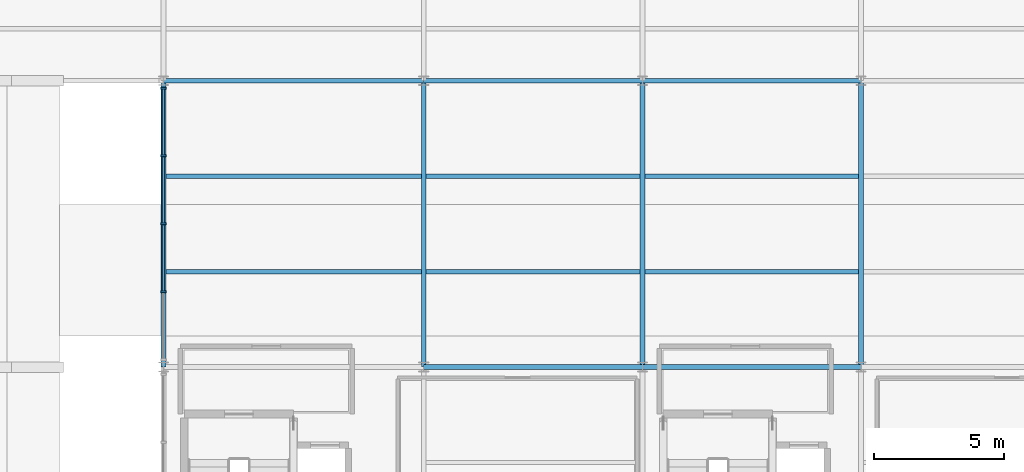
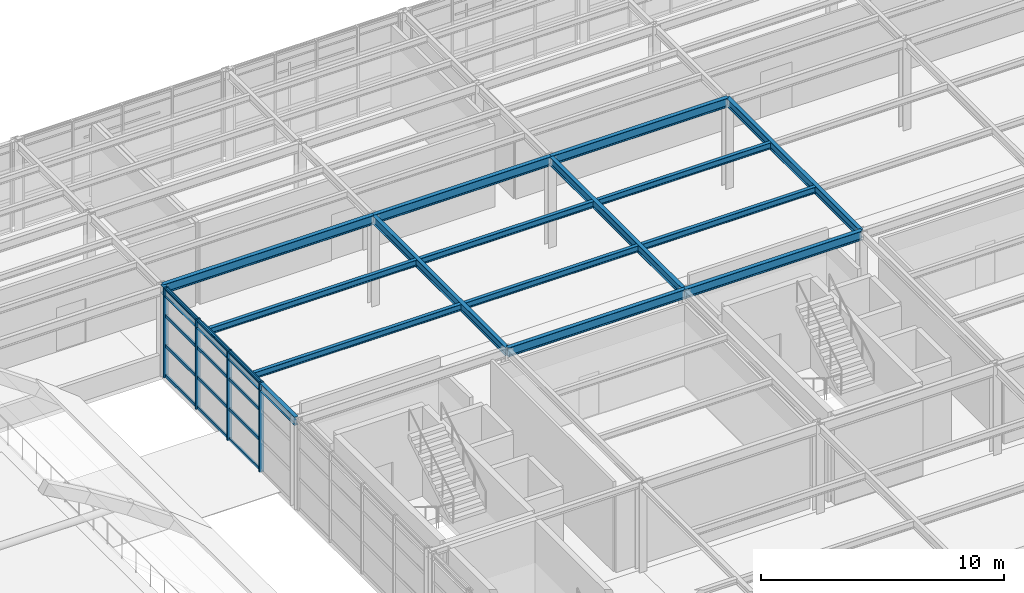
# One storey, part 33 of 82: 16 members, 15 beams, 1 element without a shape of its own.
"""IFC4 building model written with IfcOpenShell, lengths in metres."""

from ifc_helpers import new_model, si_unit, direction, frame, origin, origin_2d, place, context, subcontext, project, spatial, rectangle, i_section, extrude, material, layer, layer_set, material_profile, profile_set, type_object, element, aggregate, save


model = new_model("IFC4")

# Units and contexts
model_context = context("Model", 3, precision=1e-05, world=origin(), true_north=direction((0.0, 1.0)))
body_context = subcontext(model_context, "Body", "Model", "MODEL_VIEW")
ifc_project = project(units=[si_unit("LENGTHUNIT", "METRE"), si_unit("AREAUNIT", "SQUARE_METRE"), si_unit("VOLUMEUNIT", "CUBIC_METRE"), si_unit("PLANEANGLEUNIT", "RADIAN"), si_unit("MASSUNIT", "GRAM", prefix="KILO")], contexts=[model_context])

# Site, building, storey
site_placement = place(None, origin())
site = spatial("IfcSite", under=ifc_project, at=site_placement, CompositionType="ELEMENT")
building_placement = place(site_placement, origin())
building = spatial("IfcBuilding", under=site, at=building_placement, Name="Sitalva Quay Ferry Terminal", CompositionType="ELEMENT")
storey_placement = place(building_placement, frame((0.0, 0.0, 5.39990234375)))
storey = spatial("IfcBuildingStorey", under=building, at=storey_placement, Name="L02", CompositionType="ELEMENT", Elevation=5.39990234375)

# Beams
ifc_material_1 = material(Name="Structural Steel S355JR", Category="steel")
ifc_material_profile_1 = material_profile(ifc_material_1, i_section(OverallWidth=0.180908203125, OverallDepth=0.4169921875, WebThickness=0.010986328125, FlangeThickness=0.018310546875, FilletRadius=0.012939453125, at=origin_2d()), Name="W410x85")
ifc_profile_set_1 = profile_set([ifc_material_profile_1], Name="Structural Steel S355JR")
beam_type_1 = type_object("IfcBeamType", Name="Beam_W410x85", PredefinedType="BEAM", material=ifc_profile_set_1)
for number, where, z_axis, x_axis, name in (
    (1, (74.0, 89.0, 4.29150390625), (0.0, 1.0, 0.0), (-1.0, 0.0, 0.0), "L02 Primary Y girder 1019"),
    (2, (84.0, 89.0, 4.29150390625), (0.0, 1.0, 0.0), (-1.0, 0.0, 0.0), "L02 Primary Y girder 1022"),
    (3, (92.39990234375, 89.0, 4.29150390625), (0.0, 1.0, 0.0), (-1.0, 0.0, 0.0), "L02 Primary Y girder 1025"),
    (4, (100.800048828125, 89.0, 4.29150390625), (0.0, 1.0, 0.0), (-1.0, 0.0, 0.0), "L02 Primary Y girder 1028"),
):
    element("IfcBeam", number, at=place(storey_placement, frame(where, z_axis=z_axis, x_axis=x_axis)), inside=storey, type_object=beam_type_1, Name=name, PredefinedType="BEAM", context=body_context, shape_type="SweptSolid", body=[
        extrude(i_section(OverallWidth=0.180908203125, OverallDepth=0.4169921875, WebThickness=0.010986328125, FlangeThickness=0.018310546875, FilletRadius=0.012939453125, at=origin_2d()), origin(), (0.0, 0.0, 1.0), 11.0),
    ])
ifc_material_2 = material(Name="Structural Steel S355JR", Category="steel")
ifc_material_profile_2 = material_profile(ifc_material_2, i_section(OverallWidth=0.19091796875, OverallDepth=0.4599609375, WebThickness=0.010009765625, FlangeThickness=0.01611328125, FilletRadius=0.013916015625, at=origin_2d()), Name="W460x82")
ifc_profile_set_2 = profile_set([ifc_material_profile_2], Name="Structural Steel S355JR")
beam_type_2 = type_object("IfcBeamType", Name="Beam_W460x82", PredefinedType="BEAM", material=ifc_profile_set_2)
beam_1_placement = place(storey_placement, frame((84.0, 89.0, 4.27001953125), z_axis=(1.0, 0.0, 0.0), x_axis=(0.0, 1.0, 0.0)))
element("IfcBeam", 5, at=beam_1_placement, inside=storey, type_object=beam_type_2, Name="L02 Primary X girder 1001", PredefinedType="BEAM", context=body_context, shape_type="SweptSolid", body=[
    extrude(i_section(OverallWidth=0.19091796875, OverallDepth=0.4599609375, WebThickness=0.010009765625, FlangeThickness=0.01611328125, FilletRadius=0.013916015625, at=origin_2d()), origin(), (0.0, 0.0, 1.0), 8.39990234375),
])
beam_2_placement = place(storey_placement, frame((92.39990234375, 89.0, 4.27001953125), z_axis=(1.0, 0.0, 0.0), x_axis=(0.0, 1.0, 0.0)))
element("IfcBeam", 6, at=beam_2_placement, inside=storey, type_object=beam_type_2, Name="L02 Primary X girder 1002", PredefinedType="BEAM", context=body_context, shape_type="SweptSolid", body=[
    extrude(i_section(OverallWidth=0.19091796875, OverallDepth=0.4599609375, WebThickness=0.010009765625, FlangeThickness=0.01611328125, FilletRadius=0.013916015625, at=origin_2d()), origin(), (0.0, 0.0, 1.0), 8.400146484375),
])
beam_3_placement = place(storey_placement, frame((74.0, 100.0, 4.27001953125), z_axis=(1.0, 0.0, 0.0), x_axis=(0.0, 1.0, 0.0)))
element("IfcBeam", 7, at=beam_3_placement, inside=storey, type_object=beam_type_2, Name="L02 Primary X girder 1006", PredefinedType="BEAM", context=body_context, shape_type="SweptSolid", body=[
    extrude(i_section(OverallWidth=0.19091796875, OverallDepth=0.4599609375, WebThickness=0.010009765625, FlangeThickness=0.01611328125, FilletRadius=0.013916015625, at=origin_2d()), origin(), (0.0, 0.0, 1.0), 10.0),
])
beam_4_placement = place(storey_placement, frame((84.0, 100.0, 4.27001953125), z_axis=(1.0, 0.0, 0.0), x_axis=(0.0, 1.0, 0.0)))
element("IfcBeam", 8, at=beam_4_placement, inside=storey, type_object=beam_type_2, Name="L02 Primary X girder 1007", PredefinedType="BEAM", context=body_context, shape_type="SweptSolid", body=[
    extrude(i_section(OverallWidth=0.19091796875, OverallDepth=0.4599609375, WebThickness=0.010009765625, FlangeThickness=0.01611328125, FilletRadius=0.013916015625, at=origin_2d()), origin(), (0.0, 0.0, 1.0), 8.39990234375),
])
beam_5_placement = place(storey_placement, frame((92.39990234375, 100.0, 4.27001953125), z_axis=(1.0, 0.0, 0.0), x_axis=(0.0, 1.0, 0.0)))
element("IfcBeam", 9, at=beam_5_placement, inside=storey, type_object=beam_type_2, Name="L02 Primary X girder 1008", PredefinedType="BEAM", context=body_context, shape_type="SweptSolid", body=[
    extrude(i_section(OverallWidth=0.19091796875, OverallDepth=0.4599609375, WebThickness=0.010009765625, FlangeThickness=0.01611328125, FilletRadius=0.013916015625, at=origin_2d()), origin(), (0.0, 0.0, 1.0), 8.400146484375),
])
ifc_material_3 = material(Name="Structural Steel S355JR", Category="steel")
ifc_material_profile_3 = material_profile(ifc_material_3, i_section(OverallWidth=0.166015625, OverallDepth=0.31298828125, WebThickness=0.006591796875, FlangeThickness=0.01123046875, FilletRadius=0.010986328125, at=origin_2d()), Name="W310x45")
ifc_profile_set_3 = profile_set([ifc_material_profile_3], Name="Structural Steel S355JR")
beam_type_3 = type_object("IfcBeamType", Name="Joist_W310x45", PredefinedType="JOIST", material=ifc_profile_set_3)
beam_6_placement = place(storey_placement, frame((74.090576171875, 92.666748046875, 4.343505859375), z_axis=(1.0, 0.0, 0.0), x_axis=(0.0, 1.0, 0.0)))
element("IfcBeam", 10, at=beam_6_placement, inside=storey, type_object=beam_type_3, Name="L02 Secondary joist 1045", PredefinedType="JOIST", context=body_context, shape_type="SweptSolid", body=[
    extrude(i_section(OverallWidth=0.166015625, OverallDepth=0.31298828125, WebThickness=0.006591796875, FlangeThickness=0.01123046875, FilletRadius=0.010986328125, at=origin_2d()), origin(), (0.0, 0.0, 1.0), 9.81884765625),
])
for number, where, z_axis, x_axis, name in (
    (11, (84.090576171875, 92.666748046875, 4.343505859375), (1.0, 0.0, 0.0), (0.0, 1.0, 0.0), "L02 Secondary joist 1046"),
    (12, (92.490478515625, 92.666748046875, 4.343505859375), (1.0, 0.0, 0.0), (0.0, 1.0, 0.0), "L02 Secondary joist 1047"),
):
    element("IfcBeam", number, at=place(storey_placement, frame(where, z_axis=z_axis, x_axis=x_axis)), inside=storey, type_object=beam_type_3, Name=name, PredefinedType="JOIST", context=body_context, shape_type="SweptSolid", body=[
        extrude(i_section(OverallWidth=0.166015625, OverallDepth=0.31298828125, WebThickness=0.006591796875, FlangeThickness=0.01123046875, FilletRadius=0.010986328125, at=origin_2d()), origin(), (0.0, 0.0, 1.0), 8.218994140625),
    ])
beam_7_placement = place(storey_placement, frame((74.090576171875, 96.333251953125, 4.343505859375), z_axis=(1.0, 0.0, 0.0), x_axis=(0.0, 1.0, 0.0)))
element("IfcBeam", 13, at=beam_7_placement, inside=storey, type_object=beam_type_3, Name="L02 Secondary joist 1051", PredefinedType="JOIST", context=body_context, shape_type="SweptSolid", body=[
    extrude(i_section(OverallWidth=0.166015625, OverallDepth=0.31298828125, WebThickness=0.006591796875, FlangeThickness=0.01123046875, FilletRadius=0.010986328125, at=origin_2d()), origin(), (0.0, 0.0, 1.0), 9.81884765625),
])
for number, where, z_axis, x_axis, name in (
    (14, (84.090576171875, 96.333251953125, 4.343505859375), (1.0, 0.0, 0.0), (0.0, 1.0, 0.0), "L02 Secondary joist 1052"),
    (15, (92.490478515625, 96.333251953125, 4.343505859375), (1.0, 0.0, 0.0), (0.0, 1.0, 0.0), "L02 Secondary joist 1053"),
):
    element("IfcBeam", number, at=place(storey_placement, frame(where, z_axis=z_axis, x_axis=x_axis)), inside=storey, type_object=beam_type_3, Name=name, PredefinedType="JOIST", context=body_context, shape_type="SweptSolid", body=[
        extrude(i_section(OverallWidth=0.166015625, OverallDepth=0.31298828125, WebThickness=0.006591796875, FlangeThickness=0.01123046875, FilletRadius=0.010986328125, at=origin_2d()), origin(), (0.0, 0.0, 1.0), 8.218994140625),
    ])

# Curtain wall, members
ifc_material_4 = material(Name="Anodised Aluminium & Low-E Glazing", Category="aluminium")
ifc_layer = layer(ifc_material_4, 0.159912109375)
ifc_layer_set = layer_set([ifc_layer], Name="Anodised Aluminium & Low-E Glazing")
curtain_wall_type = type_object("IfcCurtainWallType", Name="CW_Office_Unitised", PredefinedType="USERDEFINED", material=ifc_layer_set)
curtain_wall_placement = place(storey_placement, origin())
curtain_wall = element("IfcCurtainWall", 16, at=curtain_wall_placement, inside=storey, type_object=curtain_wall_type, Name="L02 east wing west glazing overlooking V1 (CW-L02-112)", ObjectType="CURTAIN_WALL", PredefinedType="USERDEFINED")
ifc_material_5 = material(Name="Anodised Aluminium 6063-T6", Category="aluminium")
ifc_material_profile_4 = material_profile(ifc_material_5, rectangle(XDim=0.074951171875, YDim=0.219970703125, at=origin_2d()), Name="ALU75x220")
ifc_profile_set_4 = profile_set([ifc_material_profile_4], Name="Anodised Aluminium 6063-T6")
member_type_1 = type_object("IfcMemberType", Name="Mullion_Alu_75x160", PredefinedType="MULLION", material=ifc_profile_set_4)
member_1_placement = place(storey_placement, frame((74.0, 91.889892578125, 0.0), z_axis=(0.0, 0.0, 1.0), x_axis=(0.0, 1.0, 0.0)))
member_1 = element("IfcMember", 17, at=member_1_placement, type_object=member_type_1, Name="CW-L02-112-M1", PredefinedType="MULLION", context=body_context, shape_type="SweptSolid", body=[
    extrude(rectangle(XDim=0.074951171875, YDim=0.219970703125, at=origin_2d()), origin(), (0.0, 0.0, 1.0), 4.5),
])
member_2_placement = place(storey_placement, frame((74.0, 94.5, 0.0), z_axis=(0.0, 0.0, 1.0), x_axis=(0.0, 1.0, 0.0)))
member_2 = element("IfcMember", 18, at=member_2_placement, type_object=member_type_1, Name="CW-L02-112-M2", PredefinedType="MULLION", context=body_context, shape_type="SweptSolid", body=[
    extrude(rectangle(XDim=0.074951171875, YDim=0.219970703125, at=origin_2d()), origin(), (0.0, 0.0, 1.0), 4.5),
])
member_3_placement = place(storey_placement, frame((74.0, 97.110107421875, 0.0), z_axis=(0.0, 0.0, 1.0), x_axis=(0.0, 1.0, 0.0)))
member_3 = element("IfcMember", 19, at=member_3_placement, type_object=member_type_1, Name="CW-L02-112-M3", PredefinedType="MULLION", context=body_context, shape_type="SweptSolid", body=[
    extrude(rectangle(XDim=0.074951171875, YDim=0.219970703125, at=origin_2d()), origin(), (0.0, 0.0, 1.0), 4.5),
])
member_4_placement = place(storey_placement, frame((74.0, 99.719970703125, 0.0), z_axis=(0.0, 0.0, 1.0), x_axis=(0.0, 1.0, 0.0)))
member_4 = element("IfcMember", 20, at=member_4_placement, type_object=member_type_1, Name="CW-L02-112-M4", PredefinedType="MULLION", context=body_context, shape_type="SweptSolid", body=[
    extrude(rectangle(XDim=0.074951171875, YDim=0.219970703125, at=origin_2d()), origin(), (0.0, 0.0, 1.0), 4.5),
])
ifc_material_6 = material(Name="Anodised Aluminium 6063-T6", Category="aluminium")
ifc_material_profile_5 = material_profile(ifc_material_6, rectangle(XDim=0.074951171875, YDim=0.14990234375, at=origin_2d()), Name="ALU75x150")
ifc_profile_set_5 = profile_set([ifc_material_profile_5], Name="Anodised Aluminium 6063-T6")
member_type_2 = type_object("IfcMemberType", Name="Transom_Alu_75x140", PredefinedType="MULLION", material=ifc_profile_set_5)
member_5_placement = place(storey_placement, frame((74.0, 91.927490234375, 0.0751953125), z_axis=(0.0, 1.0, 0.0), x_axis=(-1.0, 0.0, 0.0)))
member_5 = element("IfcMember", 21, at=member_5_placement, type_object=member_type_2, Name="CW-L02-112-T1-0", ObjectType="TRANSOM", PredefinedType="USERDEFINED", context=body_context, shape_type="SweptSolid", body=[
    extrude(rectangle(XDim=0.074951171875, YDim=0.14990234375, at=origin_2d()), origin(), (0.0, 0.0, 1.0), 2.534912109375),
])
member_6_placement = place(storey_placement, frame((74.0, 91.927490234375, 1.5751953125), z_axis=(0.0, 1.0, 0.0), x_axis=(-1.0, 0.0, 0.0)))
member_6 = element("IfcMember", 22, at=member_6_placement, type_object=member_type_2, Name="CW-L02-112-T1-1", ObjectType="TRANSOM", PredefinedType="USERDEFINED", context=body_context, shape_type="SweptSolid", body=[
    extrude(rectangle(XDim=0.074951171875, YDim=0.14990234375, at=origin_2d()), origin(), (0.0, 0.0, 1.0), 2.534912109375),
])
member_7_placement = place(storey_placement, frame((74.0, 91.927490234375, 3.0751953125), z_axis=(0.0, 1.0, 0.0), x_axis=(-1.0, 0.0, 0.0)))
member_7 = element("IfcMember", 23, at=member_7_placement, type_object=member_type_2, Name="CW-L02-112-T1-2", ObjectType="TRANSOM", PredefinedType="USERDEFINED", context=body_context, shape_type="SweptSolid", body=[
    extrude(rectangle(XDim=0.074951171875, YDim=0.14990234375, at=origin_2d()), origin(), (0.0, 0.0, 1.0), 2.534912109375),
])
member_8_placement = place(storey_placement, frame((74.0, 91.927490234375, 4.425048828125), z_axis=(0.0, 1.0, 0.0), x_axis=(-1.0, 0.0, 0.0)))
member_8 = element("IfcMember", 24, at=member_8_placement, type_object=member_type_2, Name="CW-L02-112-T1-3", ObjectType="TRANSOM", PredefinedType="USERDEFINED", context=body_context, shape_type="SweptSolid", body=[
    extrude(rectangle(XDim=0.074951171875, YDim=0.14990234375, at=origin_2d()), origin(), (0.0, 0.0, 1.0), 2.534912109375),
])
member_9_placement = place(storey_placement, frame((74.0, 94.53759765625, 0.0751953125), z_axis=(0.0, 1.0, 0.0), x_axis=(-1.0, 0.0, 0.0)))
member_9 = element("IfcMember", 25, at=member_9_placement, type_object=member_type_2, Name="CW-L02-112-T2-0", ObjectType="TRANSOM", PredefinedType="USERDEFINED", context=body_context, shape_type="SweptSolid", body=[
    extrude(rectangle(XDim=0.074951171875, YDim=0.14990234375, at=origin_2d()), origin(), (0.0, 0.0, 1.0), 2.534912109375),
])
member_10_placement = place(storey_placement, frame((74.0, 94.53759765625, 1.5751953125), z_axis=(0.0, 1.0, 0.0), x_axis=(-1.0, 0.0, 0.0)))
member_10 = element("IfcMember", 26, at=member_10_placement, type_object=member_type_2, Name="CW-L02-112-T2-1", ObjectType="TRANSOM", PredefinedType="USERDEFINED", context=body_context, shape_type="SweptSolid", body=[
    extrude(rectangle(XDim=0.074951171875, YDim=0.14990234375, at=origin_2d()), origin(), (0.0, 0.0, 1.0), 2.534912109375),
])
member_11_placement = place(storey_placement, frame((74.0, 94.53759765625, 3.0751953125), z_axis=(0.0, 1.0, 0.0), x_axis=(-1.0, 0.0, 0.0)))
member_11 = element("IfcMember", 27, at=member_11_placement, type_object=member_type_2, Name="CW-L02-112-T2-2", ObjectType="TRANSOM", PredefinedType="USERDEFINED", context=body_context, shape_type="SweptSolid", body=[
    extrude(rectangle(XDim=0.074951171875, YDim=0.14990234375, at=origin_2d()), origin(), (0.0, 0.0, 1.0), 2.534912109375),
])
member_12_placement = place(storey_placement, frame((74.0, 94.53759765625, 4.425048828125), z_axis=(0.0, 1.0, 0.0), x_axis=(-1.0, 0.0, 0.0)))
member_12 = element("IfcMember", 28, at=member_12_placement, type_object=member_type_2, Name="CW-L02-112-T2-3", ObjectType="TRANSOM", PredefinedType="USERDEFINED", context=body_context, shape_type="SweptSolid", body=[
    extrude(rectangle(XDim=0.074951171875, YDim=0.14990234375, at=origin_2d()), origin(), (0.0, 0.0, 1.0), 2.534912109375),
])
member_13_placement = place(storey_placement, frame((74.0, 97.1474609375, 0.0751953125), z_axis=(0.0, 1.0, 0.0), x_axis=(-1.0, 0.0, 0.0)))
member_13 = element("IfcMember", 29, at=member_13_placement, type_object=member_type_2, Name="CW-L02-112-T3-0", ObjectType="TRANSOM", PredefinedType="USERDEFINED", context=body_context, shape_type="SweptSolid", body=[
    extrude(rectangle(XDim=0.074951171875, YDim=0.14990234375, at=origin_2d()), origin(), (0.0, 0.0, 1.0), 2.53515625),
])
member_14_placement = place(storey_placement, frame((74.0, 97.1474609375, 1.5751953125), z_axis=(0.0, 1.0, 0.0), x_axis=(-1.0, 0.0, 0.0)))
member_14 = element("IfcMember", 30, at=member_14_placement, type_object=member_type_2, Name="CW-L02-112-T3-1", ObjectType="TRANSOM", PredefinedType="USERDEFINED", context=body_context, shape_type="SweptSolid", body=[
    extrude(rectangle(XDim=0.074951171875, YDim=0.14990234375, at=origin_2d()), origin(), (0.0, 0.0, 1.0), 2.53515625),
])
member_15_placement = place(storey_placement, frame((74.0, 97.1474609375, 3.0751953125), z_axis=(0.0, 1.0, 0.0), x_axis=(-1.0, 0.0, 0.0)))
member_15 = element("IfcMember", 31, at=member_15_placement, type_object=member_type_2, Name="CW-L02-112-T3-2", ObjectType="TRANSOM", PredefinedType="USERDEFINED", context=body_context, shape_type="SweptSolid", body=[
    extrude(rectangle(XDim=0.074951171875, YDim=0.14990234375, at=origin_2d()), origin(), (0.0, 0.0, 1.0), 2.53515625),
])
member_16_placement = place(storey_placement, frame((74.0, 97.1474609375, 4.425048828125), z_axis=(0.0, 1.0, 0.0), x_axis=(-1.0, 0.0, 0.0)))
member_16 = element("IfcMember", 32, at=member_16_placement, type_object=member_type_2, Name="CW-L02-112-T3-3", ObjectType="TRANSOM", PredefinedType="USERDEFINED", context=body_context, shape_type="SweptSolid", body=[
    extrude(rectangle(XDim=0.074951171875, YDim=0.14990234375, at=origin_2d()), origin(), (0.0, 0.0, 1.0), 2.53515625),
])
aggregate(curtain_wall, [member_1, member_2, member_3, member_4, member_5, member_6, member_7, member_8, member_9, member_10, member_11, member_12, member_13, member_14, member_15, member_16])

save(model, "model.ifc")
